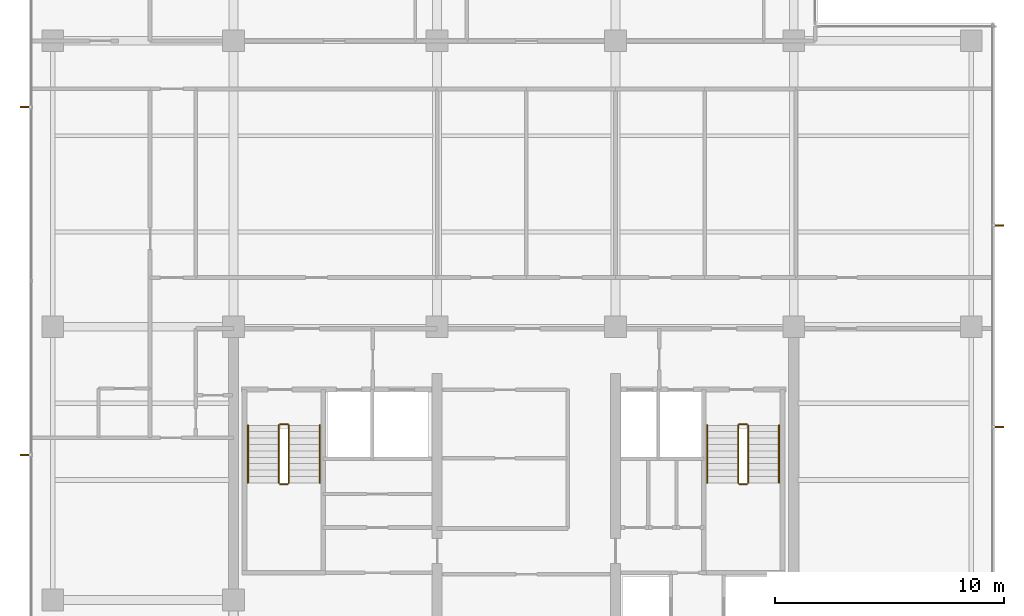
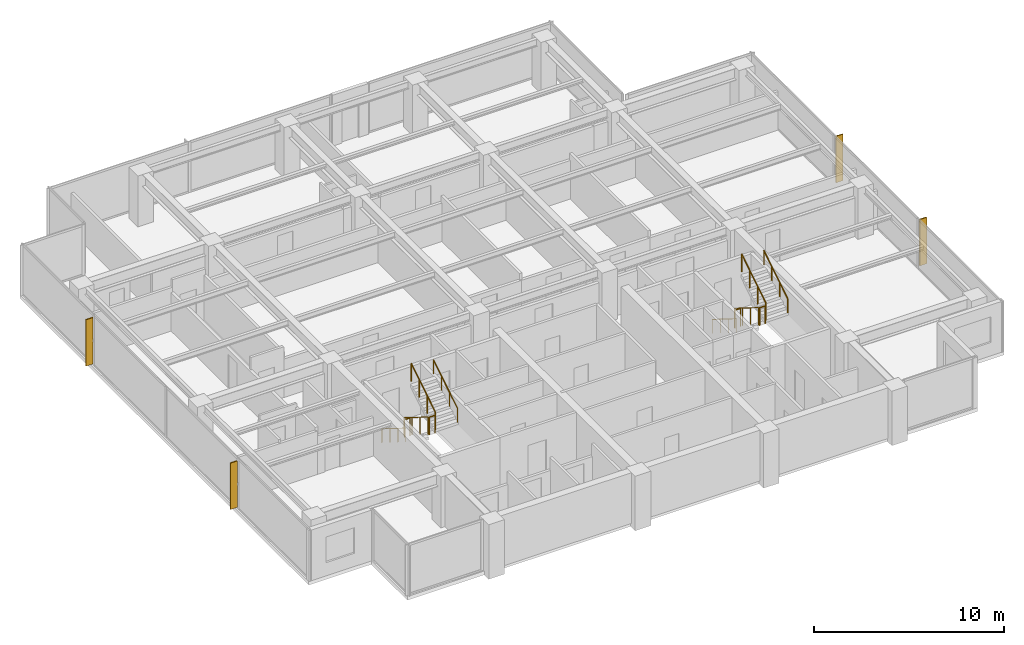
# One storey, part 14 of 15: 12 railings, 4 shading devices.
"""IFC4 building model written with IfcOpenShell, lengths in metres."""

from ifc_helpers import new_model, si_unit, direction, frame, origin, origin_2d, place, context, subcontext, project, spatial, polyline, circle, outline, extrude, material, layer, layer_set, type_object, element, save


model = new_model("IFC4")

# Units and contexts
model_context = context("Model", 3, precision=1e-05, world=origin(), true_north=direction((0.0, 1.0)))
body_context = subcontext(model_context, "Body", "Model", "MODEL_VIEW")
ifc_project = project(units=[si_unit("LENGTHUNIT", "METRE"), si_unit("AREAUNIT", "SQUARE_METRE"), si_unit("VOLUMEUNIT", "CUBIC_METRE"), si_unit("PLANEANGLEUNIT", "RADIAN"), si_unit("MASSUNIT", "GRAM", prefix="KILO")], contexts=[model_context])

# Site, building, storey
site_placement = place(None, origin())
site = spatial("IfcSite", under=ifc_project, at=site_placement, CompositionType="ELEMENT")
building_placement = place(site_placement, origin())
building = spatial("IfcBuilding", under=site, at=building_placement, Name="Qalmaran Belvedere Hotel", CompositionType="ELEMENT")
storey_placement = place(building_placement, frame((0.0, 0.0, 221.39990234375)))
storey = spatial("IfcBuildingStorey", under=building, at=storey_placement, Name="L56", CompositionType="ELEMENT", Elevation=221.39990234375)

# Shading devices
ifc_material_1 = material(Name="Anodised Bronze Aluminium", Category="aluminium")
ifc_layer = layer(ifc_material_1, 0.06494140625, Name="Anodised Bronze Aluminium")
ifc_layer_set = layer_set([ifc_layer], Name="Anodised Bronze Aluminium")
shading_device_type = type_object("IfcShadingDeviceType", Name="FIN-BRNZ-420", PredefinedType="USERDEFINED", material=ifc_layer_set)
shading_device_1_placement = place(storey_placement, frame((0.0, 0.0, 0.16015625)))
element("IfcShadingDevice", 1, at=shading_device_1_placement, inside=storey, type_object=shading_device_type, Name="L56 Bronze Fin 1", ObjectType="FIN", PredefinedType="USERDEFINED", context=body_context, shape_type="SweptSolid", body=[
    extrude(outline(polyline([(53.5673828125, 16.084228515625), (53.987548828125, 16.084228515625), (53.987548828125, 16.149169921875), (53.5673828125, 16.149169921875), (53.5673828125, 16.084228515625)])), origin(), (0.0, 0.0, 1.0), 2.97998046875),
])
shading_device_2_placement = place(storey_placement, frame((0.0, 0.0, 0.16015625)))
element("IfcShadingDevice", 2, at=shading_device_2_placement, inside=storey, type_object=shading_device_type, Name="L56 Bronze Fin 2", ObjectType="FIN", PredefinedType="USERDEFINED", context=body_context, shape_type="SweptSolid", body=[
    extrude(outline(polyline([(53.5673828125, 24.90087890625), (53.987548828125, 24.90087890625), (53.987548828125, 24.9658203125), (53.5673828125, 24.9658203125), (53.5673828125, 24.90087890625)])), origin(), (0.0, 0.0, 1.0), 2.97998046875),
])
shading_device_3_placement = place(storey_placement, frame((0.0, 0.0, 0.16015625)))
element("IfcShadingDevice", 3, at=shading_device_3_placement, inside=storey, type_object=shading_device_type, Name="L56 Bronze Fin 1", ObjectType="FIN", PredefinedType="USERDEFINED", context=body_context, shape_type="SweptSolid", body=[
    extrude(outline(polyline([(11.382568359375, 30.132568359375), (10.96240234375, 30.132568359375), (10.96240234375, 30.0673828125), (11.382568359375, 30.0673828125), (11.382568359375, 30.132568359375)])), origin(), (0.0, 0.0, 1.0), 2.97998046875),
])
shading_device_4_placement = place(storey_placement, frame((0.0, 0.0, 0.16015625)))
element("IfcShadingDevice", 4, at=shading_device_4_placement, inside=storey, type_object=shading_device_type, Name="L56 Bronze Fin 3", ObjectType="FIN", PredefinedType="USERDEFINED", context=body_context, shape_type="SweptSolid", body=[
    extrude(outline(polyline([(11.382568359375, 14.9326171875), (10.96240234375, 14.9326171875), (10.96240234375, 14.867431640625), (11.382568359375, 14.867431640625), (11.382568359375, 14.9326171875)])), origin(), (0.0, 0.0, 1.0), 2.97998046875),
])

# Railings
ifc_material_2 = material(Name="Stainless Steel 1.4401", Category="steel")
railing_type_1 = type_object("IfcRailingType", Name="RLG-STAIR-GUARD-1150", PredefinedType="GUARDRAIL", material=ifc_material_2)
railing_1_placement = place(storey_placement, frame((22.280029296875, 16.18994140625, 0.175048828125)))
element("IfcRailing", 5, at=railing_1_placement, inside=storey, type_object=railing_type_1, Name="L56 ST-1 stair guard 1", PredefinedType="GUARDRAIL", context=body_context, shape_type="SweptSolid", body=[
    extrude(circle(Radius=0.02392578125, at=origin_2d()), frame((0.0, 0.0, 1.1259765625), z_axis=(0.0, -0.848007534815, 0.529984170421), x_axis=(1.0, 0.0, 0.0)), (0.0, 0.0, 1.0), 2.9716796875),
    extrude(circle(Radius=0.02099609375, at=origin_2d()), origin(), (0.0, 0.0, 1.0), 1.101806640625),
    extrude(circle(Radius=0.02099609375, at=origin_2d()), frame((0.0, -0.840087890625, 0.52490234375)), (0.0, 0.0, 1.0), 1.101806640625),
    extrude(circle(Radius=0.02099609375, at=origin_2d()), frame((0.0, -1.679931640625, 1.050048828125)), (0.0, 0.0, 1.0), 1.101806640625),
    extrude(circle(Radius=0.02099609375, at=origin_2d()), frame((0.0, -2.52001953125, 1.574951171875)), (0.0, 0.0, 1.0), 1.101806640625),
])
railing_2_placement = place(storey_placement, frame((22.330078125, 13.6201171875, 1.75)))
element("IfcRailing", 6, at=railing_2_placement, inside=storey, type_object=railing_type_1, Name="L56 ST-1 stair guard 2", PredefinedType="GUARDRAIL", context=body_context, shape_type="SweptSolid", body=[
    extrude(circle(Radius=0.02392578125, at=origin_2d()), frame((0.0, 0.0, 1.1259765625), z_axis=(1.0, 0.0, 0.0), x_axis=(0.0, 1.0, 0.0)), (0.0, 0.0, 1.0), 0.33984375),
    extrude(circle(Radius=0.02099609375, at=origin_2d()), origin(), (0.0, 0.0, 1.0), 1.101806640625),
    extrude(circle(Radius=0.02099609375, at=origin_2d()), frame((0.33984375, 0.0, 0.0)), (0.0, 0.0, 1.0), 1.101806640625),
])
railing_3_placement = place(storey_placement, frame((22.719970703125, 13.669921875, 1.925048828125)))
element("IfcRailing", 7, at=railing_3_placement, inside=storey, type_object=railing_type_1, Name="L56 ST-1 stair guard 3", PredefinedType="GUARDRAIL", context=body_context, shape_type="SweptSolid", body=[
    extrude(circle(Radius=0.02392578125, at=origin_2d()), frame((0.0, 0.0, 1.1259765625), z_axis=(0.0, 0.848007534815, 0.529984170421), x_axis=(-1.0, 0.0, 0.0)), (0.0, 0.0, 1.0), 2.9716796875),
    extrude(circle(Radius=0.02099609375, at=origin_2d()), origin(), (0.0, 0.0, 1.0), 1.101806640625),
    extrude(circle(Radius=0.02099609375, at=origin_2d()), frame((0.0, 0.840087890625, 0.52490234375)), (0.0, 0.0, 1.0), 1.101806640625),
    extrude(circle(Radius=0.02099609375, at=origin_2d()), frame((0.0, 1.679931640625, 1.050048828125)), (0.0, 0.0, 1.0), 1.101806640625),
    extrude(circle(Radius=0.02099609375, at=origin_2d()), frame((0.0, 2.52001953125, 1.574951171875)), (0.0, 0.0, 1.0), 1.101806640625),
])
railing_4_placement = place(storey_placement, frame((22.330078125, 16.239990234375, 0.0)))
element("IfcRailing", 8, at=railing_4_placement, inside=storey, type_object=railing_type_1, Name="L56 ST-1 stair guard 4", PredefinedType="GUARDRAIL", context=body_context, shape_type="SweptSolid", body=[
    extrude(circle(Radius=0.02392578125, at=origin_2d()), frame((0.0, 0.0, 1.1259765625), z_axis=(1.0, 0.0, 0.0), x_axis=(0.0, 1.0, 0.0)), (0.0, 0.0, 1.0), 0.33984375),
    extrude(circle(Radius=0.02099609375, at=origin_2d()), origin(), (0.0, 0.0, 1.0), 1.101806640625),
    extrude(circle(Radius=0.02099609375, at=origin_2d()), frame((0.33984375, 0.0, 0.0)), (0.0, 0.0, 1.0), 1.101806640625),
])
railing_5_placement = place(storey_placement, frame((42.360107421875, 16.18994140625, 0.175048828125)))
element("IfcRailing", 9, at=railing_5_placement, inside=storey, type_object=railing_type_1, Name="L56 ST-2 stair guard 1", PredefinedType="GUARDRAIL", context=body_context, shape_type="SweptSolid", body=[
    extrude(circle(Radius=0.02392578125, at=origin_2d()), frame((0.0, 0.0, 1.1259765625), z_axis=(0.0, -0.848007534815, 0.529984170421), x_axis=(1.0, 0.0, 0.0)), (0.0, 0.0, 1.0), 2.9716796875),
    extrude(circle(Radius=0.02099609375, at=origin_2d()), origin(), (0.0, 0.0, 1.0), 1.101806640625),
    extrude(circle(Radius=0.02099609375, at=origin_2d()), frame((0.0, -0.840087890625, 0.52490234375)), (0.0, 0.0, 1.0), 1.101806640625),
    extrude(circle(Radius=0.02099609375, at=origin_2d()), frame((0.0, -1.679931640625, 1.050048828125)), (0.0, 0.0, 1.0), 1.101806640625),
    extrude(circle(Radius=0.02099609375, at=origin_2d()), frame((0.0, -2.52001953125, 1.574951171875)), (0.0, 0.0, 1.0), 1.101806640625),
])
railing_6_placement = place(storey_placement, frame((42.409912109375, 13.6201171875, 1.75)))
element("IfcRailing", 10, at=railing_6_placement, inside=storey, type_object=railing_type_1, Name="L56 ST-2 stair guard 2", PredefinedType="GUARDRAIL", context=body_context, shape_type="SweptSolid", body=[
    extrude(circle(Radius=0.02392578125, at=origin_2d()), frame((0.0, 0.0, 1.1259765625), z_axis=(1.0, 0.0, 0.0), x_axis=(0.0, 1.0, 0.0)), (0.0, 0.0, 1.0), 0.340087890625),
    extrude(circle(Radius=0.02099609375, at=origin_2d()), origin(), (0.0, 0.0, 1.0), 1.101806640625),
    extrude(circle(Radius=0.02099609375, at=origin_2d()), frame((0.340087890625, 0.0, 0.0)), (0.0, 0.0, 1.0), 1.101806640625),
])
railing_7_placement = place(storey_placement, frame((42.800048828125, 13.669921875, 1.925048828125)))
element("IfcRailing", 11, at=railing_7_placement, inside=storey, type_object=railing_type_1, Name="L56 ST-2 stair guard 3", PredefinedType="GUARDRAIL", context=body_context, shape_type="SweptSolid", body=[
    extrude(circle(Radius=0.02392578125, at=origin_2d()), frame((0.0, 0.0, 1.1259765625), z_axis=(0.0, 0.848007534815, 0.529984170421), x_axis=(-1.0, 0.0, 0.0)), (0.0, 0.0, 1.0), 2.9716796875),
    extrude(circle(Radius=0.02099609375, at=origin_2d()), origin(), (0.0, 0.0, 1.0), 1.101806640625),
    extrude(circle(Radius=0.02099609375, at=origin_2d()), frame((0.0, 0.840087890625, 0.52490234375)), (0.0, 0.0, 1.0), 1.101806640625),
    extrude(circle(Radius=0.02099609375, at=origin_2d()), frame((0.0, 1.679931640625, 1.050048828125)), (0.0, 0.0, 1.0), 1.101806640625),
    extrude(circle(Radius=0.02099609375, at=origin_2d()), frame((0.0, 2.52001953125, 1.574951171875)), (0.0, 0.0, 1.0), 1.101806640625),
])
railing_8_placement = place(storey_placement, frame((42.409912109375, 16.239990234375, 0.0)))
element("IfcRailing", 12, at=railing_8_placement, inside=storey, type_object=railing_type_1, Name="L56 ST-2 stair guard 4", PredefinedType="GUARDRAIL", context=body_context, shape_type="SweptSolid", body=[
    extrude(circle(Radius=0.02392578125, at=origin_2d()), frame((0.0, 0.0, 1.1259765625), z_axis=(1.0, 0.0, 0.0), x_axis=(0.0, 1.0, 0.0)), (0.0, 0.0, 1.0), 0.340087890625),
    extrude(circle(Radius=0.02099609375, at=origin_2d()), origin(), (0.0, 0.0, 1.0), 1.101806640625),
    extrude(circle(Radius=0.02099609375, at=origin_2d()), frame((0.340087890625, 0.0, 0.0)), (0.0, 0.0, 1.0), 1.101806640625),
])
railing_type_2 = type_object("IfcRailingType", Name="RLG-STAIR-HAND-910", PredefinedType="HANDRAIL", material=ifc_material_2)
railing_9_placement = place(storey_placement, frame((20.929931640625, 16.18994140625, 0.175048828125)))
element("IfcRailing", 13, at=railing_9_placement, inside=storey, type_object=railing_type_2, Name="L56 ST-1 stair handrail 1", PredefinedType="HANDRAIL", context=body_context, shape_type="SweptSolid", body=[
    extrude(circle(Radius=0.02392578125, at=origin_2d()), frame((0.0, 0.0, 0.8857421875), z_axis=(0.0, -0.848007534815, 0.529984170421), x_axis=(1.0, 0.0, 0.0)), (0.0, 0.0, 1.0), 2.9716796875),
    extrude(circle(Radius=0.02099609375, at=origin_2d()), origin(), (0.0, 0.0, 1.0), 0.86181640625),
    extrude(circle(Radius=0.02099609375, at=origin_2d()), frame((0.0, -0.840087890625, 0.52490234375)), (0.0, 0.0, 1.0), 0.86181640625),
    extrude(circle(Radius=0.02099609375, at=origin_2d()), frame((0.0, -1.679931640625, 1.050048828125)), (0.0, 0.0, 1.0), 0.86181640625),
    extrude(circle(Radius=0.02099609375, at=origin_2d()), frame((0.0, -2.52001953125, 1.574951171875)), (0.0, 0.0, 1.0), 0.86181640625),
])
railing_10_placement = place(storey_placement, frame((24.070068359375, 13.669921875, 1.925048828125)))
element("IfcRailing", 14, at=railing_10_placement, inside=storey, type_object=railing_type_2, Name="L56 ST-1 stair handrail 2", PredefinedType="HANDRAIL", context=body_context, shape_type="SweptSolid", body=[
    extrude(circle(Radius=0.02392578125, at=origin_2d()), frame((0.0, 0.0, 0.8857421875), z_axis=(0.0, 0.848007534815, 0.529984170421), x_axis=(-1.0, 0.0, 0.0)), (0.0, 0.0, 1.0), 2.9716796875),
    extrude(circle(Radius=0.02099609375, at=origin_2d()), origin(), (0.0, 0.0, 1.0), 0.86181640625),
    extrude(circle(Radius=0.02099609375, at=origin_2d()), frame((0.0, 0.840087890625, 0.52490234375)), (0.0, 0.0, 1.0), 0.86181640625),
    extrude(circle(Radius=0.02099609375, at=origin_2d()), frame((0.0, 1.679931640625, 1.050048828125)), (0.0, 0.0, 1.0), 0.86181640625),
    extrude(circle(Radius=0.02099609375, at=origin_2d()), frame((0.0, 2.52001953125, 1.574951171875)), (0.0, 0.0, 1.0), 0.86181640625),
])
railing_11_placement = place(storey_placement, frame((41.010009765625, 16.18994140625, 0.175048828125)))
element("IfcRailing", 15, at=railing_11_placement, inside=storey, type_object=railing_type_2, Name="L56 ST-2 stair handrail 1", PredefinedType="HANDRAIL", context=body_context, shape_type="SweptSolid", body=[
    extrude(circle(Radius=0.02392578125, at=origin_2d()), frame((0.0, 0.0, 0.8857421875), z_axis=(0.0, -0.848007534815, 0.529984170421), x_axis=(1.0, 0.0, 0.0)), (0.0, 0.0, 1.0), 2.9716796875),
    extrude(circle(Radius=0.02099609375, at=origin_2d()), origin(), (0.0, 0.0, 1.0), 0.86181640625),
    extrude(circle(Radius=0.02099609375, at=origin_2d()), frame((0.0, -0.840087890625, 0.52490234375)), (0.0, 0.0, 1.0), 0.86181640625),
    extrude(circle(Radius=0.02099609375, at=origin_2d()), frame((0.0, -1.679931640625, 1.050048828125)), (0.0, 0.0, 1.0), 0.86181640625),
    extrude(circle(Radius=0.02099609375, at=origin_2d()), frame((0.0, -2.52001953125, 1.574951171875)), (0.0, 0.0, 1.0), 0.86181640625),
])
railing_12_placement = place(storey_placement, frame((44.14990234375, 13.669921875, 1.925048828125)))
element("IfcRailing", 16, at=railing_12_placement, inside=storey, type_object=railing_type_2, Name="L56 ST-2 stair handrail 2", PredefinedType="HANDRAIL", context=body_context, shape_type="SweptSolid", body=[
    extrude(circle(Radius=0.02392578125, at=origin_2d()), frame((0.0, 0.0, 0.8857421875), z_axis=(0.0, 0.848007534815, 0.529984170421), x_axis=(-1.0, 0.0, 0.0)), (0.0, 0.0, 1.0), 2.9716796875),
    extrude(circle(Radius=0.02099609375, at=origin_2d()), origin(), (0.0, 0.0, 1.0), 0.86181640625),
    extrude(circle(Radius=0.02099609375, at=origin_2d()), frame((0.0, 0.840087890625, 0.52490234375)), (0.0, 0.0, 1.0), 0.86181640625),
    extrude(circle(Radius=0.02099609375, at=origin_2d()), frame((0.0, 1.679931640625, 1.050048828125)), (0.0, 0.0, 1.0), 0.86181640625),
    extrude(circle(Radius=0.02099609375, at=origin_2d()), frame((0.0, 2.52001953125, 1.574951171875)), (0.0, 0.0, 1.0), 0.86181640625),
])

save(model, "model.ifc")
